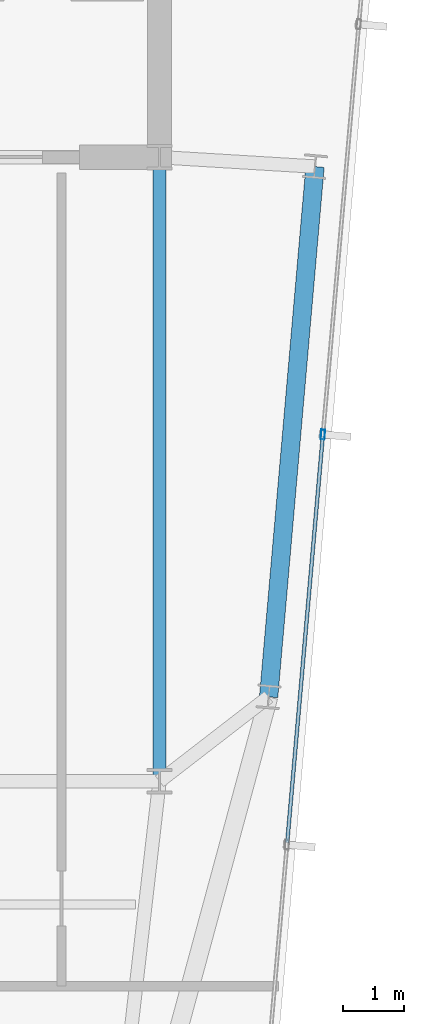
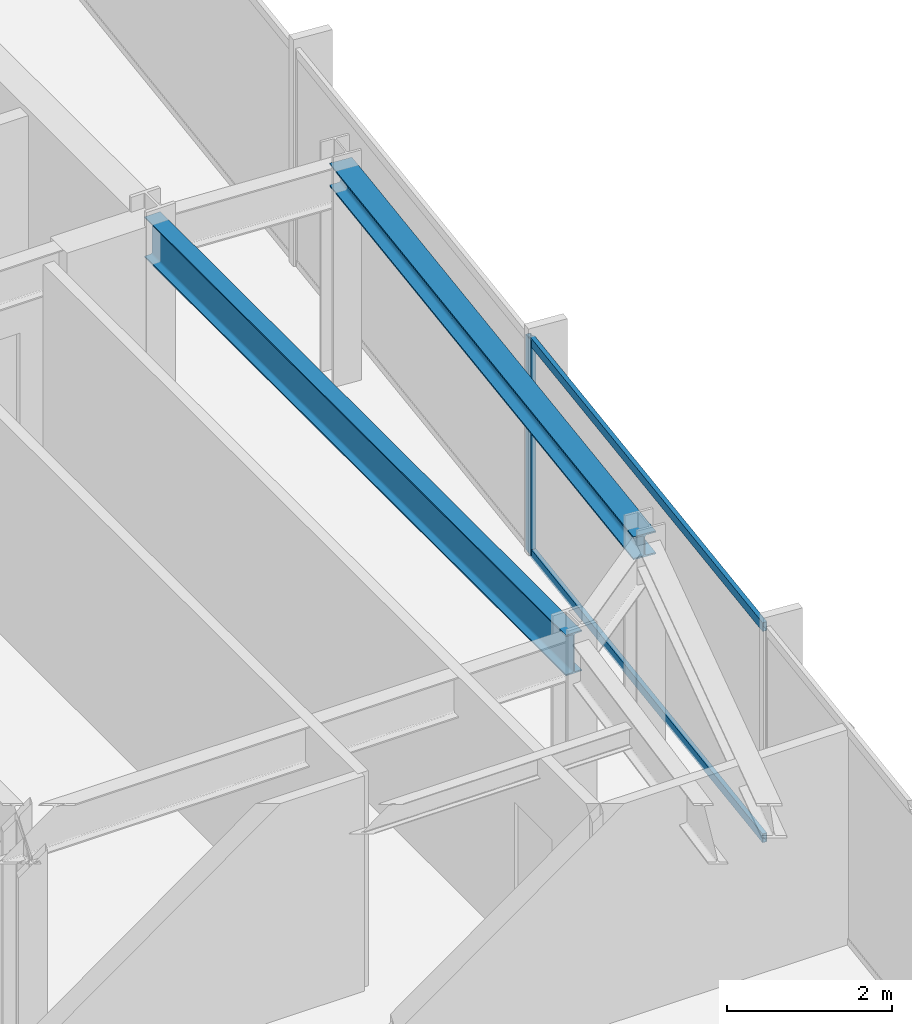
# One storey, part 17 of 32: 3 members, 2 beams, 1 element without a shape of its own.
"""IFC4 building model written with IfcOpenShell, lengths in metres."""

from ifc_helpers import new_model, si_unit, direction, frame, origin, origin_2d, place, context, subcontext, project, spatial, hollow_rectangle, i_section, extrude, material, material_profile, profile_set, type_object, element, aggregate, save


model = new_model("IFC4")

# Units and contexts
model_context = context("Model", 3, precision=1e-05, world=origin(), true_north=direction((0.0, 1.0)))
body_context = subcontext(model_context, "Body", "Model", "MODEL_VIEW")
ifc_project = project(units=[si_unit("LENGTHUNIT", "METRE"), si_unit("AREAUNIT", "SQUARE_METRE"), si_unit("VOLUMEUNIT", "CUBIC_METRE"), si_unit("PLANEANGLEUNIT", "RADIAN"), si_unit("MASSUNIT", "GRAM", prefix="KILO")], contexts=[model_context])

# Site, building, storey
site_placement = place(None, origin())
site = spatial("IfcSite", under=ifc_project, at=site_placement, CompositionType="ELEMENT")
building_placement = place(site_placement, origin())
building = spatial("IfcBuilding", under=site, at=building_placement, Name="Yelkora Congress Tower", CompositionType="ELEMENT")
storey_placement = place(building_placement, frame((0.0, 0.0, 279.5)))
storey = spatial("IfcBuildingStorey", under=building, at=storey_placement, Name="L78", CompositionType="ELEMENT", Elevation=279.5)

# Beams
ifc_material_1 = material(Name="Steel S355J2", Category="steel")
ifc_material_profile_1 = material_profile(ifc_material_1, i_section(OverallWidth=0.219970703125, OverallDepth=0.60009765625, WebThickness=0.011962890625, FlangeThickness=0.01904296875, FilletRadius=0.02392578125, at=origin_2d()), Name="IPE 600")
ifc_profile_set_1 = profile_set([ifc_material_profile_1], Name="Steel S355J2")
beam_type_1 = type_object("IfcBeamType", Name="BM-GIRD-IPE600", PredefinedType="BEAM", material=ifc_profile_set_1)
beam_1_placement = place(storey_placement, frame((53.760009765625, 25.199951171875, 2.8798828125), z_axis=(0.0, 1.0, 0.0), x_axis=(-1.0, 0.0, 0.0)))
element("IfcBeam", 1, at=beam_1_placement, inside=storey, type_object=beam_type_1, Name="L78 Core Tie Girder MC-D5", PredefinedType="BEAM", context=body_context, shape_type="SweptSolid", body=[
    extrude(i_section(OverallWidth=0.219970703125, OverallDepth=0.60009765625, WebThickness=0.011962890625, FlangeThickness=0.01904296875, FilletRadius=0.02392578125, at=origin_2d()), origin(), (0.0, 0.0, 1.0), 10.199951171875),
])
ifc_material_profile_2 = material_profile(ifc_material_1, i_section(OverallWidth=0.300048828125, OverallDepth=0.340087890625, WebThickness=0.011962890625, FlangeThickness=0.021484375, FilletRadius=0.027099609375, at=origin_2d()), Name="HEB 340")
ifc_profile_set_2 = profile_set([ifc_material_profile_2], Name="Steel S355J2")
beam_type_2 = type_object("IfcBeamType", Name="BM-SPAN-HEB340", PredefinedType="SPANDREL", material=ifc_profile_set_2)
beam_2_placement = place(storey_placement, frame((55.543701171875, 26.57861328125, 3.010009765625), z_axis=(0.08715998813, 0.99619432666, 0.0), x_axis=(-0.99619432666, 0.08715998813, 0.0)))
element("IfcBeam", 2, at=beam_2_placement, inside=storey, type_object=beam_type_2, Name="L78 Perimeter Beam 8", PredefinedType="SPANDREL", context=body_context, shape_type="SweptSolid", body=[
    extrude(i_section(OverallWidth=0.300048828125, OverallDepth=0.340087890625, WebThickness=0.011962890625, FlangeThickness=0.021484375, FilletRadius=0.027099609375, at=origin_2d()), origin(), (0.0, 0.0, 1.0), 8.7001953125),
])

# Curtain wall, members
ifc_material_2 = material(Name="Anodised aluminium and insulated glass", Category="aluminium")
curtain_wall_type = type_object("IfcCurtainWallType", Name="CW-SYS-B5", PredefinedType="NOTDEFINED", material=ifc_material_2)
curtain_wall_placement = place(storey_placement, origin())
curtain_wall = element("IfcCurtainWall", 3, at=curtain_wall_placement, inside=storey, type_object=curtain_wall_type, Name="L78 Unitised Curtain Wall 15", PredefinedType="NOTDEFINED")
ifc_material_3 = material(Name="Anodised aluminium 6063-T6", Category="aluminium")
ifc_material_profile_3 = material_profile(ifc_material_3, hollow_rectangle(XDim=0.06494140625, YDim=0.159912109375, WallThickness=0.00390625, at=origin_2d()), Name="ALU 65x160x4")
ifc_profile_set_3 = profile_set([ifc_material_profile_3], Name="Anodised aluminium 6063-T6")
member_type_1 = type_object("IfcMemberType", Name="MEM-ML-B5", PredefinedType="MULLION", material=ifc_profile_set_3)
member_1_placement = place(storey_placement, frame((56.430908203125, 30.867431640625, 0.0), z_axis=(0.0, 0.0, 1.0), x_axis=(0.996194463398, -0.087158425264, 0.0)))
member_1 = element("IfcMember", 4, at=member_1_placement, type_object=member_type_1, Name="CW-B5 mullion 3", PredefinedType="MULLION", context=body_context, shape_type="SweptSolid", body=[
    extrude(hollow_rectangle(XDim=0.06494140625, YDim=0.159912109375, WallThickness=0.00390625, at=origin_2d()), origin(), (0.0, 0.0, 1.0), 3.179931640625),
])
ifc_material_profile_4 = material_profile(ifc_material_3, hollow_rectangle(XDim=0.06005859375, YDim=0.1298828125, WallThickness=0.00390625, at=origin_2d()), Name="ALU 60x130x4")
ifc_profile_set_4 = profile_set([ifc_material_profile_4], Name="Anodised aluminium 6063-T6")
member_type_2 = type_object("IfcMemberType", Name="MEM-TR-B5", PredefinedType="USERDEFINED", material=ifc_profile_set_4)
member_2_placement = place(storey_placement, frame((56.42822265625, 30.835205078125, 0.030029296875), z_axis=(-0.087179673403, -0.996192604141, 0.0), x_axis=(0.996192604141, -0.087179673403, 0.0)))
member_2 = element("IfcMember", 5, at=member_2_placement, type_object=member_type_2, Name="CW-B5 transom 3.1", ObjectType="TRANSOM", PredefinedType="USERDEFINED", context=body_context, shape_type="SweptSolid", body=[
    extrude(hollow_rectangle(XDim=0.06005859375, YDim=0.1298828125, WallThickness=0.00390625, at=origin_2d()), origin(), (0.0, 0.0, 1.0), 6.6650390625),
])
member_3_placement = place(storey_placement, frame((56.42822265625, 30.835205078125, 3.14990234375), z_axis=(-0.087179673403, -0.996192604141, 0.0), x_axis=(0.996192604141, -0.087179673403, 0.0)))
member_3 = element("IfcMember", 6, at=member_3_placement, type_object=member_type_2, Name="CW-B5 transom 3.2", ObjectType="TRANSOM", PredefinedType="USERDEFINED", context=body_context, shape_type="SweptSolid", body=[
    extrude(hollow_rectangle(XDim=0.06005859375, YDim=0.1298828125, WallThickness=0.00390625, at=origin_2d()), origin(), (0.0, 0.0, 1.0), 6.6650390625),
])
aggregate(curtain_wall, [member_1, member_2, member_3])

save(model, "model.ifc")
